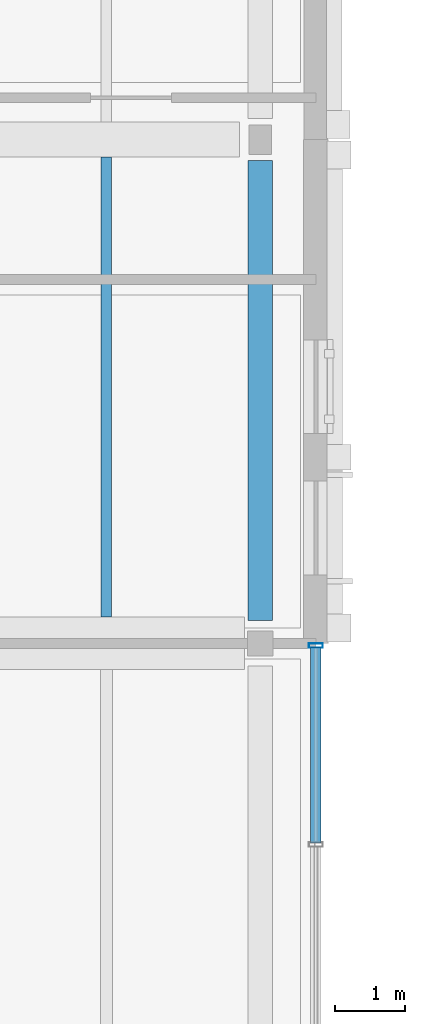
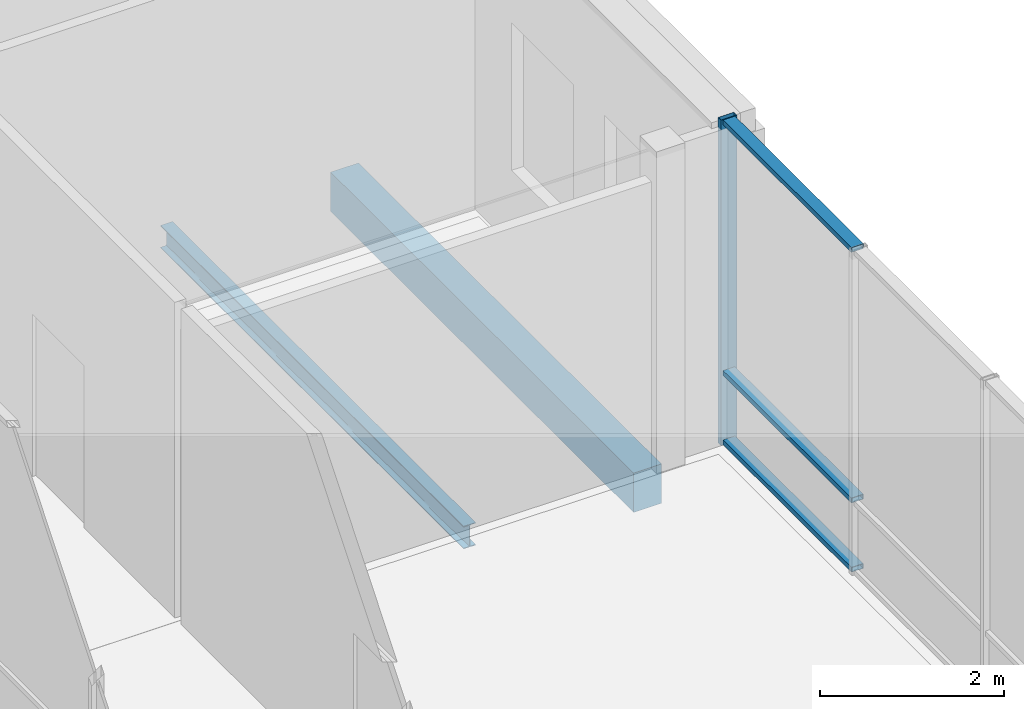
# One storey, part 76 of 146: 4 members, 2 beams, 1 element without a shape of its own.
"""IFC4 building model written with IfcOpenShell, lengths in metres."""

from ifc_helpers import new_model, si_unit, direction, frame, origin, origin_2d, place, context, subcontext, project, spatial, rectangle, hollow_rectangle, i_section, extrude, material, material_profile, profile_set, type_object, element, aggregate, save


model = new_model("IFC4")

# Units and contexts
model_context = context("Model", 3, precision=1e-05, world=origin(), true_north=direction((0.0, 1.0)))
body_context = subcontext(model_context, "Body", "Model", "MODEL_VIEW")
ifc_project = project(units=[si_unit("LENGTHUNIT", "METRE"), si_unit("AREAUNIT", "SQUARE_METRE"), si_unit("VOLUMEUNIT", "CUBIC_METRE"), si_unit("PLANEANGLEUNIT", "RADIAN"), si_unit("MASSUNIT", "GRAM", prefix="KILO")], contexts=[model_context])

# Site, building, storey
site_placement = place(None, origin())
site = spatial("IfcSite", under=ifc_project, at=site_placement, CompositionType="ELEMENT")
building_placement = place(site_placement, origin())
building = spatial("IfcBuilding", under=site, at=building_placement, Name="Hawrajan Terrace Health Centre", CompositionType="ELEMENT")
storey_placement = place(building_placement, frame((0.0, 0.0, 4.5)))
storey = spatial("IfcBuildingStorey", under=building, at=storey_placement, Name="L01", CompositionType="ELEMENT", Elevation=4.5)

# Curtain wall, members
ifc_material_1 = material(Name="Anodized bronze aluminium and low-E solar glazing", Category="aluminium")
curtain_wall_type = type_object("IfcCurtainWallType", Name="CW_Pavilion_SeriesE2", PredefinedType="USERDEFINED", material=ifc_material_1)
curtain_wall_placement = place(storey_placement, origin())
curtain_wall = element("IfcCurtainWall", 1, at=curtain_wall_placement, inside=storey, type_object=curtain_wall_type, Name="Curtain wall CW-L01-085", ObjectType="UNITISED CURTAIN WALL", PredefinedType="USERDEFINED")
ifc_material_2 = material(Name="Anodized bronze aluminium 6063-T6", Category="aluminium")
ifc_material_profile_1 = material_profile(ifc_material_2, hollow_rectangle(XDim=0.06494140625, YDim=0.199951171875, WallThickness=0.00439453125, at=origin_2d()), Name="CW MUL 65x200")
ifc_profile_set_1 = profile_set([ifc_material_profile_1], Name="Anodized bronze aluminium 6063-T6")
member_type_1 = type_object("IfcMemberType", Name="CWMullion_65x200", PredefinedType="MULLION", material=ifc_profile_set_1)
member_1_placement = place(storey_placement, frame((71.794921875, 45.367431640625, -0.0048828125), z_axis=(0.0, 0.0, 1.0), x_axis=(0.0, 1.0, 0.0)))
member_1 = element("IfcMember", 2, at=member_1_placement, type_object=member_type_1, Name="Mullion CW-L01-085-M4", PredefinedType="MULLION", context=body_context, shape_type="SweptSolid", body=[
    extrude(hollow_rectangle(XDim=0.06494140625, YDim=0.199951171875, WallThickness=0.00439453125, at=origin_2d()), origin(), (0.0, 0.0, 1.0), 4.309814453125),
])
ifc_material_profile_2 = material_profile(ifc_material_2, hollow_rectangle(XDim=0.06494140625, YDim=0.14990234375, WallThickness=0.00390625, at=origin_2d()), Name="CW TRN 65x150")
ifc_profile_set_2 = profile_set([ifc_material_profile_2], Name="Anodized bronze aluminium 6063-T6")
member_type_2 = type_object("IfcMemberType", Name="CWTransom_65x150", PredefinedType="USERDEFINED", material=ifc_profile_set_2)
member_2_placement = place(storey_placement, frame((71.794921875, 42.549072265625, 0.032470703125), z_axis=(0.0, 1.0, 0.0), x_axis=(0.0, 0.0, 1.0)))
member_2 = element("IfcMember", 3, at=member_2_placement, type_object=member_type_2, Name="Transom CW-L01-085-T3-1", ObjectType="TRANSOM", PredefinedType="USERDEFINED", context=body_context, shape_type="SweptSolid", body=[
    extrude(hollow_rectangle(XDim=0.06494140625, YDim=0.14990234375, WallThickness=0.00390625, at=origin_2d()), origin(), (0.0, 0.0, 1.0), 2.7919921875),
])
member_3_placement = place(storey_placement, frame((71.794921875, 42.549072265625, 0.949951171875), z_axis=(0.0, 1.0, 0.0), x_axis=(0.0, 0.0, 1.0)))
member_3 = element("IfcMember", 4, at=member_3_placement, type_object=member_type_2, Name="Transom CW-L01-085-T3-2", ObjectType="TRANSOM", PredefinedType="USERDEFINED", context=body_context, shape_type="SweptSolid", body=[
    extrude(hollow_rectangle(XDim=0.06494140625, YDim=0.14990234375, WallThickness=0.00390625, at=origin_2d()), origin(), (0.0, 0.0, 1.0), 2.7919921875),
])
member_4_placement = place(storey_placement, frame((71.794921875, 42.549072265625, 4.267578125), z_axis=(0.0, 1.0, 0.0), x_axis=(0.0, 0.0, 1.0)))
member_4 = element("IfcMember", 5, at=member_4_placement, type_object=member_type_2, Name="Transom CW-L01-085-T3-3", ObjectType="TRANSOM", PredefinedType="USERDEFINED", context=body_context, shape_type="SweptSolid", body=[
    extrude(hollow_rectangle(XDim=0.06494140625, YDim=0.14990234375, WallThickness=0.00390625, at=origin_2d()), origin(), (0.0, 0.0, 1.0), 2.7919921875),
])
aggregate(curtain_wall, [member_1, member_2, member_3, member_4])

# Beams
ifc_material_3 = material(Name="Concrete C40/50", Category="concrete")
ifc_material_profile_3 = material_profile(ifc_material_3, rectangle(XDim=0.35009765625, YDim=0.52001953125, at=origin_2d()), Name="RC SP 350x520")
ifc_profile_set_3 = profile_set([ifc_material_profile_3], Name="Concrete C40/50")
beam_type_1 = type_object("IfcBeamType", Name="RCSpandrel_350x520", PredefinedType="SPANDREL", material=ifc_profile_set_3)
beam_1_placement = place(storey_placement, frame((71.0, 45.72509765625, -0.56005859375), z_axis=(0.0, 1.0, 0.0), x_axis=(-1.0, 0.0, 0.0)))
element("IfcBeam", 6, at=beam_1_placement, inside=storey, type_object=beam_type_1, Name="Beam BM-Y-L01-W-X10-6", PredefinedType="SPANDREL", context=body_context, shape_type="SweptSolid", body=[
    extrude(rectangle(XDim=0.35009765625, YDim=0.52001953125, at=origin_2d()), origin(), (0.0, 0.0, 1.0), 6.574951171875),
])
ifc_material_4 = material(Name="Steel S355", Category="steel")
ifc_material_profile_4 = material_profile(ifc_material_4, i_section(OverallWidth=0.14990234375, OverallDepth=0.300048828125, WebThickness=0.007080078125, FlangeThickness=0.0107421875, FilletRadius=0.014892578125, at=origin_2d()), Name="IPE 300")
ifc_profile_set_4 = profile_set([ifc_material_profile_4], Name="Steel S355")
beam_type_2 = type_object("IfcBeamType", Name="SteelBeam_IPE300", PredefinedType="JOIST", material=ifc_profile_set_4)
beam_2_placement = place(storey_placement, frame((68.800048828125, 45.77490234375, -0.449951171875), z_axis=(0.0, 1.0, 0.0), x_axis=(-1.0, 0.0, 0.0)))
element("IfcBeam", 7, at=beam_2_placement, inside=storey, type_object=beam_type_2, Name="Secondary joist JST-L01-W-09-6-3", PredefinedType="JOIST", context=body_context, shape_type="SweptSolid", body=[
    extrude(i_section(OverallWidth=0.14990234375, OverallDepth=0.300048828125, WebThickness=0.007080078125, FlangeThickness=0.0107421875, FilletRadius=0.014892578125, at=origin_2d()), origin(), (0.0, 0.0, 1.0), 6.5751953125),
])

save(model, "model.ifc")
